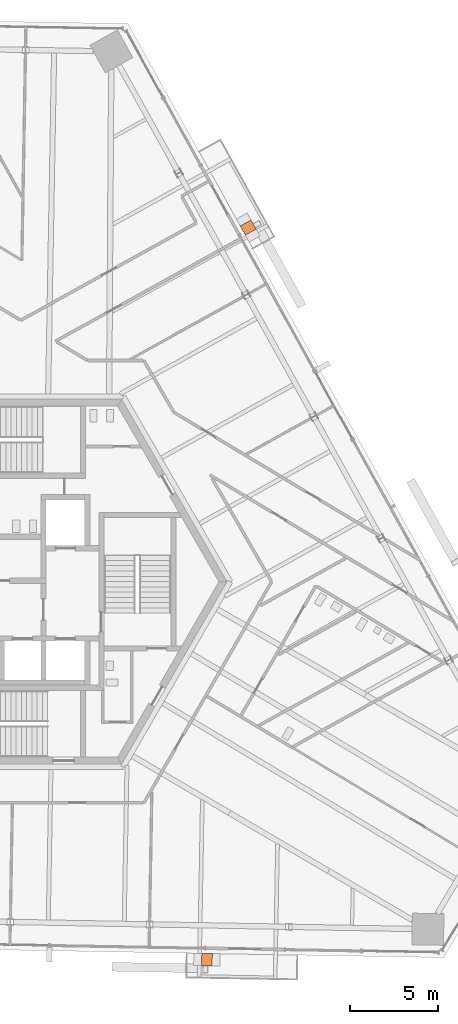
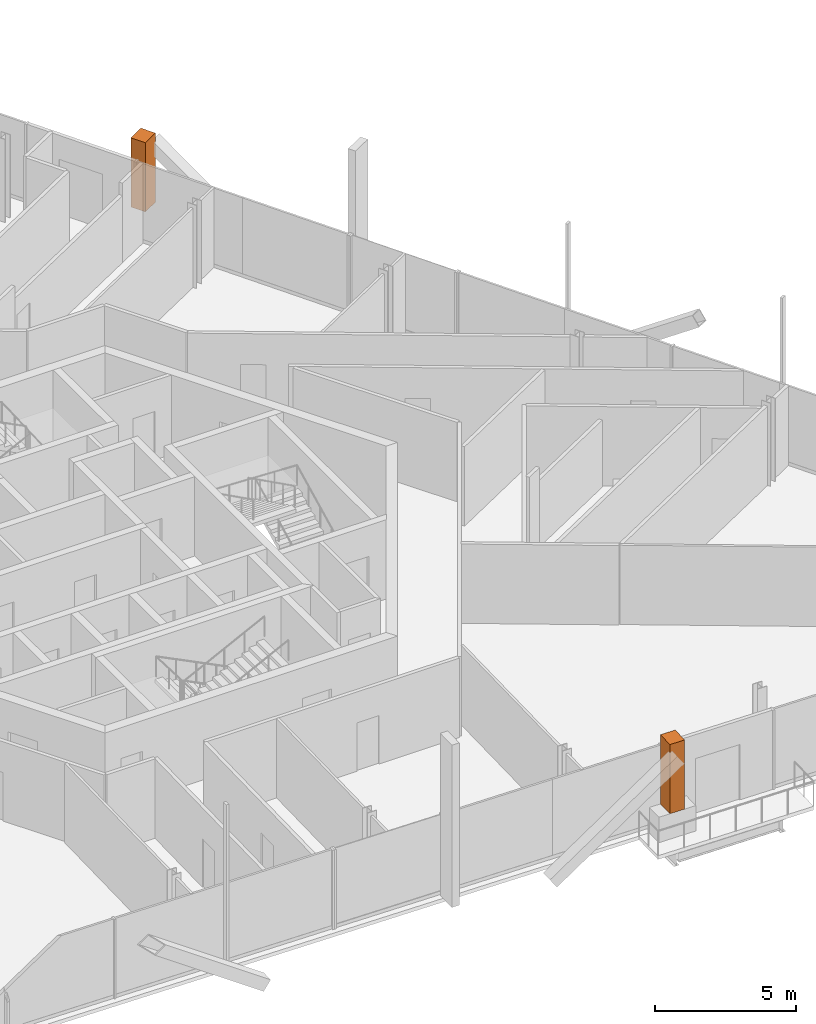
# One storey, part 21 of 21: 2 geographic elements.
"""IFC4 building model written with IfcOpenShell, lengths in metres."""

from ifc_helpers import new_model, si_unit, direction, frame, origin, origin_2d, place, context, subcontext, project, spatial, rectangle, extrude, source, transform, mapped, material, type_object, element, save


model = new_model("IFC4")

# Units and contexts
model_context = context("Model", 3, precision=1e-05, world=origin(), true_north=direction((0.0, 1.0)))
body_context = subcontext(model_context, "Body", "Model", "MODEL_VIEW")
ifc_project = project(units=[si_unit("LENGTHUNIT", "METRE"), si_unit("AREAUNIT", "SQUARE_METRE"), si_unit("VOLUMEUNIT", "CUBIC_METRE"), si_unit("PLANEANGLEUNIT", "RADIAN"), si_unit("MASSUNIT", "GRAM", prefix="KILO")], contexts=[model_context])

# Site, building, storey
site_placement = place(None, origin())
site = spatial("IfcSite", under=ifc_project, at=site_placement, CompositionType="ELEMENT")
building_placement = place(site_placement, origin())
building = spatial("IfcBuilding", under=site, at=building_placement, Name="Triune Harvest Tower", CompositionType="ELEMENT")
storey_placement = place(building_placement, frame((0.0, 0.0, 201.5)))
storey = spatial("IfcBuildingStorey", under=building, at=storey_placement, Name="L52", CompositionType="ELEMENT", Elevation=201.5)

# Geographic elements
ifc_material = material(Name="TREE-1 tree")
geographic_element_type = type_object("IfcGeographicElementType", Name="TREE-1 tree", PredefinedType="USERDEFINED", material=ifc_material)
shared_shape = source(origin(), body_context, "Body", "SweptSolid", [
    extrude(rectangle(XDim=0.60009765625, YDim=0.699951171875, at=origin_2d()), origin(), (0.0, 0.0, 1.0), 3.0),
])
for number, where, z_axis, x_axis, name in (
    (1, (13.207763671875, 20.1630859375, 1.10009765625), (0.0, 0.0, 1.0), (-0.48480848305, 0.874620337497, 0.0), "Tree B5-F1 L52.9a"),
    (2, (10.85791015625, -21.52001953125, 1.10009765625), (0.0, 0.0, 1.0), (0.999847708228, -0.017451657526, 0.0), "Tree B5-F5 L52.9a"),
):
    element("IfcGeographicElement", number, at=place(storey_placement, frame(where, z_axis=z_axis, x_axis=x_axis)), inside=storey, type_object=geographic_element_type, Name=name, ObjectType="TREE", PredefinedType="USERDEFINED", context=body_context, shape_type="MappedRepresentation", body=[
        mapped(shared_shape, transform((0.0, 0.0, 0.0), scale=1.0)),
    ])

save(model, "model.ifc")
